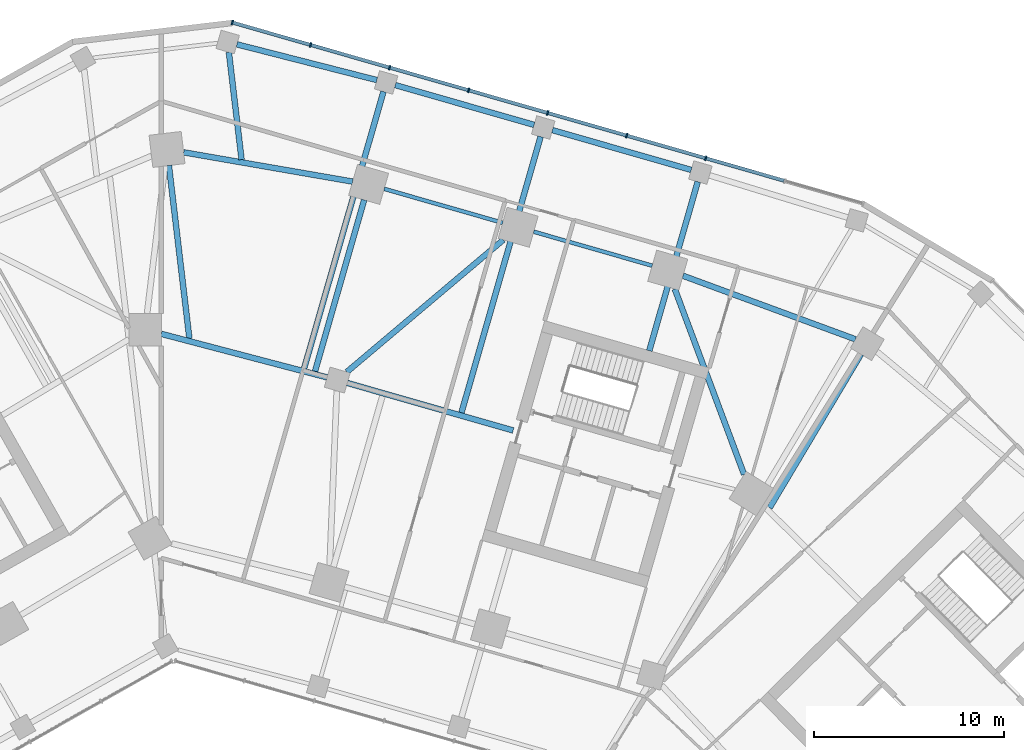
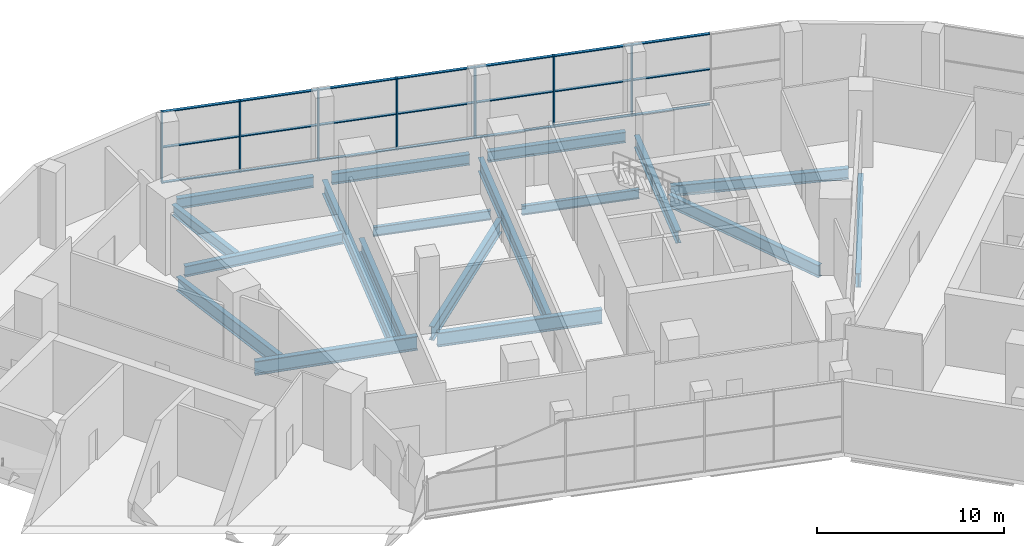
# One storey, part 7 of 18: 28 members, 18 beams, 1 element without a shape of its own.
"""IFC4 building model written with IfcOpenShell, lengths in metres."""

from ifc_helpers import new_model, si_unit, direction, frame, origin, origin_2d, place, context, subcontext, project, spatial, rectangle, i_section, extrude, material, material_profile, profile_set, type_object, element, aggregate, save


model = new_model("IFC4")

# Units and contexts
model_context = context("Model", 3, precision=1e-05, world=origin(), true_north=direction((0.0, 1.0)))
body_context = subcontext(model_context, "Body", "Model", "MODEL_VIEW")
ifc_project = project(units=[si_unit("LENGTHUNIT", "METRE"), si_unit("AREAUNIT", "SQUARE_METRE"), si_unit("VOLUMEUNIT", "CUBIC_METRE"), si_unit("PLANEANGLEUNIT", "RADIAN"), si_unit("MASSUNIT", "GRAM", prefix="KILO")], contexts=[model_context])

# Site, building, storey
site_placement = place(None, origin())
site = spatial("IfcSite", under=ifc_project, at=site_placement, CompositionType="ELEMENT")
building_placement = place(site_placement, origin())
building = spatial("IfcBuilding", under=site, at=building_placement, Name="Binnacle Exchange Tower", CompositionType="ELEMENT")
storey_placement = place(building_placement, frame((0.0, 0.0, 11.5)))
storey = spatial("IfcBuildingStorey", under=building, at=storey_placement, Name="L02", CompositionType="ELEMENT", Elevation=11.5)

# Curtain wall, members
ifc_material_1 = material(Name="Bronze anodised aluminium frame", Category="aluminium")
curtain_wall_type = type_object("IfcCurtainWallType", Name="External wall - curtain wall north entrance", PredefinedType="NOTDEFINED", material=ifc_material_1)
curtain_wall_placement = place(storey_placement, origin())
curtain_wall = element("IfcCurtainWall", 1, at=curtain_wall_placement, inside=storey, type_object=curtain_wall_type, Name="External wall curtain wall CW2-P00 L02", PredefinedType="NOTDEFINED")
ifc_material_profile_1 = material_profile(ifc_material_1, rectangle(XDim=0.25, YDim=0.080078125, at=origin_2d()), Name="AL 80x250")
ifc_profile_set_1 = profile_set([ifc_material_profile_1], Name="Bronze anodised aluminium frame")
member_type_1 = type_object("IfcMemberType", Name="CW2 MULLION 80x250", PredefinedType="MULLION", material=ifc_profile_set_1)
member_1_placement = place(storey_placement, frame((28.597412109375, 69.001220703125, 0.0), z_axis=(0.0, 0.0, 1.0), x_axis=(-0.275636946471, -0.961261813316, 0.0)))
member_1 = element("IfcMember", 2, at=member_1_placement, type_object=member_type_1, Name="CW2-P00 mullion 3", PredefinedType="MULLION", context=body_context, shape_type="SweptSolid", body=[
    extrude(rectangle(XDim=0.25, YDim=0.080078125, at=origin_2d()), origin(), (0.0, 0.0, 1.0), 4.64990234375),
])
member_2_placement = place(storey_placement, frame((24.446044921875, 70.191650390625, 0.0), z_axis=(0.0, 0.0, 1.0), x_axis=(-0.275636946471, -0.961261813316, 0.0)))
member_2 = element("IfcMember", 3, at=member_2_placement, type_object=member_type_1, Name="CW2-P00 mullion 4", PredefinedType="MULLION", context=body_context, shape_type="SweptSolid", body=[
    extrude(rectangle(XDim=0.25, YDim=0.080078125, at=origin_2d()), origin(), (0.0, 0.0, 1.0), 4.64990234375),
])
member_3_placement = place(storey_placement, frame((20.294677734375, 71.382080078125, 0.0), z_axis=(0.0, 0.0, 1.0), x_axis=(-0.275636946471, -0.961261813316, 0.0)))
member_3 = element("IfcMember", 4, at=member_3_placement, type_object=member_type_1, Name="CW2-P00 mullion 5", PredefinedType="MULLION", context=body_context, shape_type="SweptSolid", body=[
    extrude(rectangle(XDim=0.25, YDim=0.080078125, at=origin_2d()), origin(), (0.0, 0.0, 1.0), 4.64990234375),
])
member_4_placement = place(storey_placement, frame((16.143310546875, 72.572509765625, 0.0), z_axis=(0.0, 0.0, 1.0), x_axis=(-0.275636946471, -0.961261813316, 0.0)))
member_4 = element("IfcMember", 5, at=member_4_placement, type_object=member_type_1, Name="CW2-P00 mullion 6", PredefinedType="MULLION", context=body_context, shape_type="SweptSolid", body=[
    extrude(rectangle(XDim=0.25, YDim=0.080078125, at=origin_2d()), origin(), (0.0, 0.0, 1.0), 4.64990234375),
])
member_5_placement = place(storey_placement, frame((11.991943359375, 73.762939453125, 0.0), z_axis=(0.0, 0.0, 1.0), x_axis=(-0.275636946471, -0.961261813316, 0.0)))
member_5 = element("IfcMember", 6, at=member_5_placement, type_object=member_type_1, Name="CW2-P00 mullion 7", PredefinedType="MULLION", context=body_context, shape_type="SweptSolid", body=[
    extrude(rectangle(XDim=0.25, YDim=0.080078125, at=origin_2d()), origin(), (0.0, 0.0, 1.0), 4.64990234375),
])
member_6_placement = place(storey_placement, frame((7.840576171875, 74.953125, 0.0), z_axis=(0.0, 0.0, 1.0), x_axis=(-0.275636946471, -0.961261813316, 0.0)))
member_6 = element("IfcMember", 7, at=member_6_placement, type_object=member_type_1, Name="CW2-P00 mullion 8", PredefinedType="MULLION", context=body_context, shape_type="SweptSolid", body=[
    extrude(rectangle(XDim=0.25, YDim=0.080078125, at=origin_2d()), origin(), (0.0, 0.0, 1.0), 4.64990234375),
])
member_7_placement = place(storey_placement, frame((3.727783203125, 76.132568359375, 0.0), z_axis=(0.0, 0.0, 1.0), x_axis=(-0.275636946471, -0.961261813316, 0.0)))
member_7 = element("IfcMember", 8, at=member_7_placement, type_object=member_type_1, Name="CW2-P00 mullion 9", PredefinedType="MULLION", context=body_context, shape_type="SweptSolid", body=[
    extrude(rectangle(XDim=0.25, YDim=0.080078125, at=origin_2d()), origin(), (0.0, 0.0, 1.0), 4.64990234375),
])
ifc_material_profile_2 = material_profile(ifc_material_1, rectangle(XDim=0.179931640625, YDim=0.06005859375, at=origin_2d()), Name="AL 180x60")
ifc_profile_set_2 = profile_set([ifc_material_profile_2], Name="Bronze anodised aluminium frame")
member_type_2 = type_object("IfcMemberType", Name="CW2 TRANSOM 60x180", PredefinedType="USERDEFINED", material=ifc_profile_set_2)
member_8_placement = place(storey_placement, frame((32.710205078125, 67.822021484375, 0.030029296875), z_axis=(-0.961269230789, 0.275611077316, 0.0), x_axis=(-0.275611077316, -0.961269230789, 0.0)))
member_8 = element("IfcMember", 9, at=member_8_placement, type_object=member_type_2, Name="CW2-P00 transom 2.1", ObjectType="TRANSOM", PredefinedType="USERDEFINED", context=body_context, shape_type="SweptSolid", body=[
    extrude(rectangle(XDim=0.179931640625, YDim=0.06005859375, at=origin_2d()), origin(), (0.0, 0.0, 1.0), 4.238525390625),
])
member_9_placement = place(storey_placement, frame((32.710205078125, 67.822021484375, 2.324951171875), z_axis=(-0.961269230789, 0.275611077316, 0.0), x_axis=(-0.275611077316, -0.961269230789, 0.0)))
member_9 = element("IfcMember", 10, at=member_9_placement, type_object=member_type_2, Name="CW2-P00 transom 2.2", ObjectType="TRANSOM", PredefinedType="USERDEFINED", context=body_context, shape_type="SweptSolid", body=[
    extrude(rectangle(XDim=0.179931640625, YDim=0.06005859375, at=origin_2d()), origin(), (0.0, 0.0, 1.0), 4.238525390625),
])
member_10_placement = place(storey_placement, frame((32.710205078125, 67.822021484375, 4.6201171875), z_axis=(-0.961269230789, 0.275611077316, 0.0), x_axis=(-0.275611077316, -0.961269230789, 0.0)))
member_10 = element("IfcMember", 11, at=member_10_placement, type_object=member_type_2, Name="CW2-P00 transom 2.3", ObjectType="TRANSOM", PredefinedType="USERDEFINED", context=body_context, shape_type="SweptSolid", body=[
    extrude(rectangle(XDim=0.179931640625, YDim=0.06005859375, at=origin_2d()), origin(), (0.0, 0.0, 1.0), 4.238525390625),
])
member_11_placement = place(storey_placement, frame((28.558837890625, 69.012451171875, 0.030029296875), z_axis=(-0.961269230789, 0.275611077316, 0.0), x_axis=(-0.275611077316, -0.961269230789, 0.0)))
member_11 = element("IfcMember", 12, at=member_11_placement, type_object=member_type_2, Name="CW2-P00 transom 3.1", ObjectType="TRANSOM", PredefinedType="USERDEFINED", context=body_context, shape_type="SweptSolid", body=[
    extrude(rectangle(XDim=0.179931640625, YDim=0.06005859375, at=origin_2d()), origin(), (0.0, 0.0, 1.0), 4.238525390625),
])
member_12_placement = place(storey_placement, frame((28.558837890625, 69.012451171875, 2.324951171875), z_axis=(-0.961269230789, 0.275611077316, 0.0), x_axis=(-0.275611077316, -0.961269230789, 0.0)))
member_12 = element("IfcMember", 13, at=member_12_placement, type_object=member_type_2, Name="CW2-P00 transom 3.2", ObjectType="TRANSOM", PredefinedType="USERDEFINED", context=body_context, shape_type="SweptSolid", body=[
    extrude(rectangle(XDim=0.179931640625, YDim=0.06005859375, at=origin_2d()), origin(), (0.0, 0.0, 1.0), 4.238525390625),
])
member_13_placement = place(storey_placement, frame((28.558837890625, 69.012451171875, 4.6201171875), z_axis=(-0.961269230789, 0.275611077316, 0.0), x_axis=(-0.275611077316, -0.961269230789, 0.0)))
member_13 = element("IfcMember", 14, at=member_13_placement, type_object=member_type_2, Name="CW2-P00 transom 3.3", ObjectType="TRANSOM", PredefinedType="USERDEFINED", context=body_context, shape_type="SweptSolid", body=[
    extrude(rectangle(XDim=0.179931640625, YDim=0.06005859375, at=origin_2d()), origin(), (0.0, 0.0, 1.0), 4.238525390625),
])
member_14_placement = place(storey_placement, frame((24.407470703125, 70.20263671875, 0.030029296875), z_axis=(-0.961249592204, 0.275679563057, 0.0), x_axis=(-0.275679563057, -0.961249592204, 0.0)))
member_14 = element("IfcMember", 15, at=member_14_placement, type_object=member_type_2, Name="CW2-P00 transom 4.1", ObjectType="TRANSOM", PredefinedType="USERDEFINED", context=body_context, shape_type="SweptSolid", body=[
    extrude(rectangle(XDim=0.179931640625, YDim=0.06005859375, at=origin_2d()), origin(), (0.0, 0.0, 1.0), 4.238525390625),
])
member_15_placement = place(storey_placement, frame((24.407470703125, 70.20263671875, 2.324951171875), z_axis=(-0.961249592204, 0.275679563057, 0.0), x_axis=(-0.275679563057, -0.961249592204, 0.0)))
member_15 = element("IfcMember", 16, at=member_15_placement, type_object=member_type_2, Name="CW2-P00 transom 4.2", ObjectType="TRANSOM", PredefinedType="USERDEFINED", context=body_context, shape_type="SweptSolid", body=[
    extrude(rectangle(XDim=0.179931640625, YDim=0.06005859375, at=origin_2d()), origin(), (0.0, 0.0, 1.0), 4.238525390625),
])
member_16_placement = place(storey_placement, frame((24.407470703125, 70.20263671875, 4.6201171875), z_axis=(-0.961249592204, 0.275679563057, 0.0), x_axis=(-0.275679563057, -0.961249592204, 0.0)))
member_16 = element("IfcMember", 17, at=member_16_placement, type_object=member_type_2, Name="CW2-P00 transom 4.3", ObjectType="TRANSOM", PredefinedType="USERDEFINED", context=body_context, shape_type="SweptSolid", body=[
    extrude(rectangle(XDim=0.179931640625, YDim=0.06005859375, at=origin_2d()), origin(), (0.0, 0.0, 1.0), 4.238525390625),
])
member_17_placement = place(storey_placement, frame((20.25634765625, 71.39306640625, 0.030029296875), z_axis=(-0.961253969491, 0.275664299717, 0.0), x_axis=(-0.275664299717, -0.961253969491, 0.0)))
member_17 = element("IfcMember", 18, at=member_17_placement, type_object=member_type_2, Name="CW2-P00 transom 5.1", ObjectType="TRANSOM", PredefinedType="USERDEFINED", context=body_context, shape_type="SweptSolid", body=[
    extrude(rectangle(XDim=0.179931640625, YDim=0.06005859375, at=origin_2d()), origin(), (0.0, 0.0, 1.0), 4.23876953125),
])
member_18_placement = place(storey_placement, frame((20.25634765625, 71.39306640625, 2.324951171875), z_axis=(-0.961253969491, 0.275664299717, 0.0), x_axis=(-0.275664299717, -0.961253969491, 0.0)))
member_18 = element("IfcMember", 19, at=member_18_placement, type_object=member_type_2, Name="CW2-P00 transom 5.2", ObjectType="TRANSOM", PredefinedType="USERDEFINED", context=body_context, shape_type="SweptSolid", body=[
    extrude(rectangle(XDim=0.179931640625, YDim=0.06005859375, at=origin_2d()), origin(), (0.0, 0.0, 1.0), 4.23876953125),
])
member_19_placement = place(storey_placement, frame((20.25634765625, 71.39306640625, 4.6201171875), z_axis=(-0.961253969491, 0.275664299717, 0.0), x_axis=(-0.275664299717, -0.961253969491, 0.0)))
member_19 = element("IfcMember", 20, at=member_19_placement, type_object=member_type_2, Name="CW2-P00 transom 5.3", ObjectType="TRANSOM", PredefinedType="USERDEFINED", context=body_context, shape_type="SweptSolid", body=[
    extrude(rectangle(XDim=0.179931640625, YDim=0.06005859375, at=origin_2d()), origin(), (0.0, 0.0, 1.0), 4.23876953125),
])
member_20_placement = place(storey_placement, frame((16.10498046875, 72.58349609375, 0.030029296875), z_axis=(-0.961269230789, 0.275611077316, 0.0), x_axis=(-0.275611077316, -0.961269230789, 0.0)))
member_20 = element("IfcMember", 21, at=member_20_placement, type_object=member_type_2, Name="CW2-P00 transom 6.1", ObjectType="TRANSOM", PredefinedType="USERDEFINED", context=body_context, shape_type="SweptSolid", body=[
    extrude(rectangle(XDim=0.179931640625, YDim=0.06005859375, at=origin_2d()), origin(), (0.0, 0.0, 1.0), 4.238525390625),
])
member_21_placement = place(storey_placement, frame((16.10498046875, 72.58349609375, 2.324951171875), z_axis=(-0.961269230789, 0.275611077316, 0.0), x_axis=(-0.275611077316, -0.961269230789, 0.0)))
member_21 = element("IfcMember", 22, at=member_21_placement, type_object=member_type_2, Name="CW2-P00 transom 6.2", ObjectType="TRANSOM", PredefinedType="USERDEFINED", context=body_context, shape_type="SweptSolid", body=[
    extrude(rectangle(XDim=0.179931640625, YDim=0.06005859375, at=origin_2d()), origin(), (0.0, 0.0, 1.0), 4.238525390625),
])
member_22_placement = place(storey_placement, frame((16.10498046875, 72.58349609375, 4.6201171875), z_axis=(-0.961269230789, 0.275611077316, 0.0), x_axis=(-0.275611077316, -0.961269230789, 0.0)))
member_22 = element("IfcMember", 23, at=member_22_placement, type_object=member_type_2, Name="CW2-P00 transom 6.3", ObjectType="TRANSOM", PredefinedType="USERDEFINED", context=body_context, shape_type="SweptSolid", body=[
    extrude(rectangle(XDim=0.179931640625, YDim=0.06005859375, at=origin_2d()), origin(), (0.0, 0.0, 1.0), 4.238525390625),
])
member_23_placement = place(storey_placement, frame((11.95361328125, 73.77392578125, 0.030029296875), z_axis=(-0.961269230789, 0.275611077316, 0.0), x_axis=(-0.275611077316, -0.961269230789, 0.0)))
member_23 = element("IfcMember", 24, at=member_23_placement, type_object=member_type_2, Name="CW2-P00 transom 7.1", ObjectType="TRANSOM", PredefinedType="USERDEFINED", context=body_context, shape_type="SweptSolid", body=[
    extrude(rectangle(XDim=0.179931640625, YDim=0.06005859375, at=origin_2d()), origin(), (0.0, 0.0, 1.0), 4.238525390625),
])
member_24_placement = place(storey_placement, frame((11.95361328125, 73.77392578125, 2.324951171875), z_axis=(-0.961269230789, 0.275611077316, 0.0), x_axis=(-0.275611077316, -0.961269230789, 0.0)))
member_24 = element("IfcMember", 25, at=member_24_placement, type_object=member_type_2, Name="CW2-P00 transom 7.2", ObjectType="TRANSOM", PredefinedType="USERDEFINED", context=body_context, shape_type="SweptSolid", body=[
    extrude(rectangle(XDim=0.179931640625, YDim=0.06005859375, at=origin_2d()), origin(), (0.0, 0.0, 1.0), 4.238525390625),
])
member_25_placement = place(storey_placement, frame((11.95361328125, 73.77392578125, 4.6201171875), z_axis=(-0.961269230789, 0.275611077316, 0.0), x_axis=(-0.275611077316, -0.961269230789, 0.0)))
member_25 = element("IfcMember", 26, at=member_25_placement, type_object=member_type_2, Name="CW2-P00 transom 7.3", ObjectType="TRANSOM", PredefinedType="USERDEFINED", context=body_context, shape_type="SweptSolid", body=[
    extrude(rectangle(XDim=0.179931640625, YDim=0.06005859375, at=origin_2d()), origin(), (0.0, 0.0, 1.0), 4.238525390625),
])
member_26_placement = place(storey_placement, frame((7.80224609375, 74.964111328125, 0.030029296875), z_axis=(-0.961249184076, 0.275680986129, 0.0), x_axis=(-0.275680986129, -0.961249184076, 0.0)))
member_26 = element("IfcMember", 27, at=member_26_placement, type_object=member_type_2, Name="CW2-P00 transom 8.1", ObjectType="TRANSOM", PredefinedType="USERDEFINED", context=body_context, shape_type="SweptSolid", body=[
    extrude(rectangle(XDim=0.179931640625, YDim=0.06005859375, at=origin_2d()), origin(), (0.0, 0.0, 1.0), 4.198486328125),
])
member_27_placement = place(storey_placement, frame((7.80224609375, 74.964111328125, 2.324951171875), z_axis=(-0.961249184076, 0.275680986129, 0.0), x_axis=(-0.275680986129, -0.961249184076, 0.0)))
member_27 = element("IfcMember", 28, at=member_27_placement, type_object=member_type_2, Name="CW2-P00 transom 8.2", ObjectType="TRANSOM", PredefinedType="USERDEFINED", context=body_context, shape_type="SweptSolid", body=[
    extrude(rectangle(XDim=0.179931640625, YDim=0.06005859375, at=origin_2d()), origin(), (0.0, 0.0, 1.0), 4.198486328125),
])
member_28_placement = place(storey_placement, frame((7.80224609375, 74.964111328125, 4.6201171875), z_axis=(-0.961249184076, 0.275680986129, 0.0), x_axis=(-0.275680986129, -0.961249184076, 0.0)))
member_28 = element("IfcMember", 29, at=member_28_placement, type_object=member_type_2, Name="CW2-P00 transom 8.3", ObjectType="TRANSOM", PredefinedType="USERDEFINED", context=body_context, shape_type="SweptSolid", body=[
    extrude(rectangle(XDim=0.179931640625, YDim=0.06005859375, at=origin_2d()), origin(), (0.0, 0.0, 1.0), 4.198486328125),
])
aggregate(curtain_wall, [member_1, member_2, member_3, member_4, member_5, member_6, member_7, member_8, member_9, member_10, member_11, member_12, member_13, member_14, member_15, member_16, member_17, member_18, member_19, member_20, member_21, member_22, member_23, member_24, member_25, member_26, member_27, member_28])

# Beams
ifc_material_2 = material(Name="Steel S355 (SHN355)", Category="steel")
ifc_material_profile_3 = material_profile(ifc_material_2, i_section(OverallWidth=0.201904296875, OverallDepth=0.612060546875, WebThickness=0.012939453125, FlangeThickness=0.02294921875, FilletRadius=0.02197265625, at=origin_2d()), Name="H 612x202x13x23")
ifc_profile_set_3 = profile_set([ifc_material_profile_3], Name="Steel S355 (SHN355)")
beam_type_1 = type_object("IfcBeamType", Name="Edge girder H 612x202x13x23 Steel S355 (SHN355)", PredefinedType="SPANDREL", material=ifc_profile_set_3)
for number, where, z_axis, x_axis, name in (
    (30, (17.92919921875, 65.610595703125, -0.656005859375), (-0.961261624999, 0.275637603213, 0.0), (-0.275637603213, -0.961261624999, 0.0), "S:BM:edge:L02:052"),
    (31, (25.78564453125, 63.35791015625, -0.656005859375), (-0.961271618025, 0.275602751036, 0.0), (-0.275602751036, -0.961271618025, 0.0), "S:BM:edge:L02:056"),
):
    element("IfcBeam", number, at=place(storey_placement, frame(where, z_axis=z_axis, x_axis=x_axis)), inside=storey, type_object=beam_type_1, Name=name, PredefinedType="SPANDREL", context=body_context, shape_type="SweptSolid", body=[
        extrude(i_section(OverallWidth=0.201904296875, OverallDepth=0.612060546875, WebThickness=0.012939453125, FlangeThickness=0.02294921875, FilletRadius=0.02197265625, at=origin_2d()), origin(), (0.0, 0.0, 1.0), 6.472900390625),
    ])
ifc_material_profile_4 = material_profile(ifc_material_2, i_section(OverallWidth=0.300048828125, OverallDepth=0.699951171875, WebThickness=0.012939453125, FlangeThickness=0.02392578125, FilletRadius=0.028076171875, at=origin_2d()), Name="H 700x300x13x24")
ifc_profile_set_4 = profile_set([ifc_material_profile_4], Name="Steel S355 (SHN355)")
beam_type_2 = type_object("IfcBeamType", Name="Edge girder H 700x300x13x24 Steel S355 (SHN355)", PredefinedType="SPANDREL", material=ifc_profile_set_4)
beam_1_placement = place(storey_placement, frame((3.970703125, 74.985595703125, -0.699951171875), z_axis=(0.96888078872, -0.247527811062, 0.0), x_axis=(0.247527811062, 0.96888078872, 0.0)))
element("IfcBeam", 32, at=beam_1_placement, inside=storey, type_object=beam_type_2, Name="S:BM:edge:L02:046", PredefinedType="SPANDREL", context=body_context, shape_type="SweptSolid", body=[
    extrude(i_section(OverallWidth=0.300048828125, OverallDepth=0.699951171875, WebThickness=0.012939453125, FlangeThickness=0.02392578125, FilletRadius=0.028076171875, at=origin_2d()), origin(), (0.0, 0.0, 1.0), 7.589599609375),
])
beam_2_placement = place(storey_placement, frame((10.047607421875, 67.77490234375, -0.699951171875), z_axis=(-0.985312460293, 0.17076110679, 0.0), x_axis=(-0.17076110679, -0.985312460293, 0.0)))
element("IfcBeam", 33, at=beam_2_placement, inside=storey, type_object=beam_type_2, Name="S:BM:edge:L02:049", PredefinedType="SPANDREL", context=body_context, shape_type="SweptSolid", body=[
    extrude(i_section(OverallWidth=0.300048828125, OverallDepth=0.699951171875, WebThickness=0.012939453125, FlangeThickness=0.02392578125, FilletRadius=0.028076171875, at=origin_2d()), origin(), (0.0, 0.0, 1.0), 9.005859375),
])
beam_3_placement = place(storey_placement, frame((12.289306640625, 72.84521484375, -0.699951171875), z_axis=(0.961270944274, -0.275605100996, 0.0), x_axis=(0.275605100996, 0.961270944274, 0.0)))
element("IfcBeam", 34, at=beam_3_placement, inside=storey, type_object=beam_type_2, Name="S:BM:edge:L02:050", PredefinedType="SPANDREL", context=body_context, shape_type="SweptSolid", body=[
    extrude(i_section(OverallWidth=0.300048828125, OverallDepth=0.699951171875, WebThickness=0.012939453125, FlangeThickness=0.02392578125, FilletRadius=0.028076171875, at=origin_2d()), origin(), (0.0, 0.0, 1.0), 7.586181640625),
])
beam_4_placement = place(storey_placement, frame((20.54296875, 70.478759765625, -0.699951171875), z_axis=(0.961262417922, -0.275634837948, 0.0), x_axis=(0.275634837948, 0.961262417922, 0.0)))
element("IfcBeam", 35, at=beam_4_placement, inside=storey, type_object=beam_type_2, Name="S:BM:edge:L02:054", PredefinedType="SPANDREL", context=body_context, shape_type="SweptSolid", body=[
    extrude(i_section(OverallWidth=0.300048828125, OverallDepth=0.699951171875, WebThickness=0.012939453125, FlangeThickness=0.02392578125, FilletRadius=0.028076171875, at=origin_2d()), origin(), (0.0, 0.0, 1.0), 7.58642578125),
])
ifc_material_profile_5 = material_profile(ifc_material_2, i_section(OverallWidth=0.302001953125, OverallDepth=0.7080078125, WebThickness=0.014892578125, FlangeThickness=0.028076171875, FilletRadius=0.028076171875, at=origin_2d()), Name="H 708x302x15x28")
ifc_profile_set_5 = profile_set([ifc_material_profile_5], Name="Steel S355 (SHN355)")
beam_type_3 = type_object("IfcBeamType", Name="Edge girder H 708x302x15x28 Steel S355 (SHN355)", PredefinedType="SPANDREL", material=ifc_profile_set_5)
beam_5_placement = place(storey_placement, frame((36.464599609375, 59.490966796875, -0.7041015625), z_axis=(-0.938368148393, 0.345637408395, 0.0), x_axis=(-0.345637408395, -0.938368148393, 0.0)))
element("IfcBeam", 36, at=beam_5_placement, inside=storey, type_object=beam_type_3, Name="S:BM:edge:L02:061", PredefinedType="SPANDREL", context=body_context, shape_type="SweptSolid", body=[
    extrude(i_section(OverallWidth=0.302001953125, OverallDepth=0.7080078125, WebThickness=0.014892578125, FlangeThickness=0.028076171875, FilletRadius=0.028076171875, at=origin_2d()), origin(), (0.0, 0.0, 1.0), 9.6572265625),
])
ifc_material_profile_6 = material_profile(ifc_material_2, i_section(OverallWidth=0.300048828125, OverallDepth=0.699951171875, WebThickness=0.012939453125, FlangeThickness=0.02392578125, FilletRadius=0.028076171875, at=origin_2d()), Name="H 700x300x13x24")
ifc_profile_set_6 = profile_set([ifc_material_profile_6], Name="Steel S355 (SHN355)")
beam_type_4 = type_object("IfcBeamType", Name="Floor beam H 700x300x13x24 Steel S355 (SHN355)", PredefinedType="BEAM", material=ifc_profile_set_6)
beam_6_placement = place(storey_placement, frame((3.5498046875, 74.571044921875, -0.699951171875), z_axis=(0.117529616855, -0.993069377819, 0.0), x_axis=(0.993069377819, 0.117529616855, 0.0)))
element("IfcBeam", 37, at=beam_6_placement, inside=storey, type_object=beam_type_4, Name="S:BM:cross:L02:104", PredefinedType="BEAM", context=body_context, shape_type="SweptSolid", body=[
    extrude(i_section(OverallWidth=0.300048828125, OverallDepth=0.699951171875, WebThickness=0.012939453125, FlangeThickness=0.02392578125, FilletRadius=0.028076171875, at=origin_2d()), origin(), (0.0, 0.0, 1.0), 5.67919921875),
])
ifc_material_profile_7 = material_profile(ifc_material_2, i_section(OverallWidth=0.302001953125, OverallDepth=0.80810546875, WebThickness=0.01611328125, FlangeThickness=0.030029296875, FilletRadius=0.028076171875, at=origin_2d()), Name="H 808x302x16x30")
ifc_profile_set_7 = profile_set([ifc_material_profile_7], Name="Steel S355 (SHN355)")
beam_type_5 = type_object("IfcBeamType", Name="Floor beam H 808x302x16x30 Steel S355 (SHN355)", PredefinedType="BEAM", material=ifc_profile_set_7)
beam_7_placement = place(storey_placement, frame((28.17822265625, 67.769287109375, -0.75390625), z_axis=(-0.275646254267, -0.961259144304, 0.0), x_axis=(0.961259144304, -0.275646254267, 0.0)))
element("IfcBeam", 38, at=beam_7_placement, inside=storey, type_object=beam_type_5, Name="S:BM:cross:L02:112", PredefinedType="BEAM", context=body_context, shape_type="SweptSolid", body=[
    extrude(i_section(OverallWidth=0.302001953125, OverallDepth=0.80810546875, WebThickness=0.01611328125, FlangeThickness=0.030029296875, FilletRadius=0.028076171875, at=origin_2d()), origin(), (0.0, 0.0, 1.0), 9.235107421875),
])
ifc_material_profile_8 = material_profile(ifc_material_2, i_section(OverallWidth=0.300048828125, OverallDepth=0.89990234375, WebThickness=0.01611328125, FlangeThickness=0.028076171875, FilletRadius=0.028076171875, at=origin_2d()), Name="H 900x300x16x28")
ifc_profile_set_8 = profile_set([ifc_material_profile_8], Name="Steel S355 (SHN355)")
beam_type_6 = type_object("IfcBeamType", Name="Floor beam H 900x300x16x28 Steel S355 (SHN355)", PredefinedType="BEAM", material=ifc_profile_set_8)
beam_8_placement = place(storey_placement, frame((0.39990234375, 68.6201171875, -0.800048828125), z_axis=(0.117562643201, -0.993065468599, 0.0), x_axis=(0.993065468599, 0.117562643201, 0.0)))
element("IfcBeam", 39, at=beam_8_placement, inside=storey, type_object=beam_type_6, Name="S:BM:cross:L02:103", PredefinedType="BEAM", context=body_context, shape_type="SweptSolid", body=[
    extrude(i_section(OverallWidth=0.300048828125, OverallDepth=0.89990234375, WebThickness=0.01611328125, FlangeThickness=0.028076171875, FilletRadius=0.028076171875, at=origin_2d()), origin(), (0.0, 0.0, 1.0), 9.14990234375),
])
beam_9_placement = place(storey_placement, frame((36.752685546875, 58.703857421875, -0.800048828125), z_axis=(-0.511298188751, -0.859403375709, 0.0), x_axis=(0.859403375709, -0.511298188751, 0.0)))
element("IfcBeam", 40, at=beam_9_placement, inside=storey, type_object=beam_type_6, Name="S:BM:cross:L02:116", PredefinedType="BEAM", context=body_context, shape_type="SweptSolid", body=[
    extrude(i_section(OverallWidth=0.300048828125, OverallDepth=0.89990234375, WebThickness=0.01611328125, FlangeThickness=0.028076171875, FilletRadius=0.028076171875, at=origin_2d()), origin(), (0.0, 0.0, 1.0), 9.385986328125),
])
ifc_material_profile_9 = material_profile(ifc_material_2, i_section(OverallWidth=0.302001953125, OverallDepth=0.912109375, WebThickness=0.01806640625, FlangeThickness=0.033935546875, FilletRadius=0.028076171875, at=origin_2d()), Name="H 912x302x18x34")
ifc_profile_set_9 = profile_set([ifc_material_profile_9], Name="Steel S355 (SHN355)")
beam_type_7 = type_object("IfcBeamType", Name="Floor beam H 912x302x18x34 Steel S355 (SHN355)", PredefinedType="BEAM", material=ifc_profile_set_9)
beam_10_placement = place(storey_placement, frame((10.65576171875, 66.81201171875, -0.805908203125), z_axis=(-0.275626703457, -0.961264750389, 0.0), x_axis=(0.961264750389, -0.275626703457, 0.0)))
element("IfcBeam", 41, at=beam_10_placement, inside=storey, type_object=beam_type_7, Name="S:BM:cross:L02:107", PredefinedType="BEAM", context=body_context, shape_type="SweptSolid", body=[
    extrude(i_section(OverallWidth=0.302001953125, OverallDepth=0.912109375, WebThickness=0.01806640625, FlangeThickness=0.033935546875, FilletRadius=0.028076171875, at=origin_2d()), origin(), (0.0, 0.0, 1.0), 9.363525390625),
])
ifc_material_profile_10 = material_profile(ifc_material_2, i_section(OverallWidth=0.302978515625, OverallDepth=0.91796875, WebThickness=0.01904296875, FlangeThickness=0.037109375, FilletRadius=0.028076171875, at=origin_2d()), Name="H 918x303x19x37")
ifc_profile_set_10 = profile_set([ifc_material_profile_10], Name="Steel S355 (SHN355)")
beam_type_8 = type_object("IfcBeamType", Name="Floor beam H 918x303x19x37 Steel S355 (SHN355)", PredefinedType="BEAM", material=ifc_profile_set_10)
beam_11_placement = place(storey_placement, frame((11.6708984375, 72.50244140625, -0.80908203125), z_axis=(-0.275622715185, -0.961265893951, 0.0), x_axis=(0.961265893951, -0.275622715185, 0.0)))
element("IfcBeam", 42, at=beam_11_placement, inside=storey, type_object=beam_type_8, Name="S:BM:cross:L02:108", PredefinedType="BEAM", context=body_context, shape_type="SweptSolid", body=[
    extrude(i_section(OverallWidth=0.302978515625, OverallDepth=0.91796875, WebThickness=0.01904296875, FlangeThickness=0.037109375, FilletRadius=0.028076171875, at=origin_2d()), origin(), (0.0, 0.0, 1.0), 15.12646484375),
])
beam_12_placement = place(storey_placement, frame((19.924560546875, 70.135986328125, -0.80908203125), z_axis=(-0.275629445944, -0.961263964023, 0.0), x_axis=(0.961263964023, -0.275629445944, 0.0)))
element("IfcBeam", 43, at=beam_12_placement, inside=storey, type_object=beam_type_8, Name="S:BM:cross:L02:110", PredefinedType="BEAM", context=body_context, shape_type="SweptSolid", body=[
    extrude(i_section(OverallWidth=0.302978515625, OverallDepth=0.91796875, WebThickness=0.01904296875, FlangeThickness=0.037109375, FilletRadius=0.028076171875, at=origin_2d()), origin(), (0.0, 0.0, 1.0), 15.085205078125),
])
ifc_material_profile_11 = material_profile(ifc_material_2, i_section(OverallWidth=0.302001953125, OverallDepth=0.80810546875, WebThickness=0.01611328125, FlangeThickness=0.030029296875, FilletRadius=0.028076171875, at=origin_2d()), Name="H 808x302x16x30")
ifc_profile_set_11 = profile_set([ifc_material_profile_11], Name="Steel S355 (SHN355)")
beam_type_9 = type_object("IfcBeamType", Name="Spine girder H 808x302x16x30 Steel S355 (SHN355)", PredefinedType="BEAM", material=ifc_profile_set_11)
beam_13_placement = place(storey_placement, frame((30.614501953125, 52.389892578125, -0.75390625), z_axis=(-0.350104624168, 0.936710602126, 0.0), x_axis=(-0.936710602126, -0.350104624168, 0.0)))
element("IfcBeam", 44, at=beam_13_placement, inside=storey, type_object=beam_type_9, Name="S:BM:spine:L02:011", PredefinedType="BEAM", context=body_context, shape_type="SweptSolid", body=[
    extrude(i_section(OverallWidth=0.302001953125, OverallDepth=0.80810546875, WebThickness=0.01611328125, FlangeThickness=0.030029296875, FilletRadius=0.028076171875, at=origin_2d()), origin(), (0.0, 0.0, 1.0), 10.4013671875),
])
ifc_material_profile_12 = material_profile(ifc_material_2, i_section(OverallWidth=0.300048828125, OverallDepth=0.89990234375, WebThickness=0.01611328125, FlangeThickness=0.028076171875, FilletRadius=0.028076171875, at=origin_2d()), Name="H 900x300x16x28")
ifc_profile_set_12 = profile_set([ifc_material_profile_12], Name="Steel S355 (SHN355)")
beam_type_10 = type_object("IfcBeamType", Name="Spine girder H 900x300x16x28 Steel S355 (SHN355)", PredefinedType="BEAM", material=ifc_profile_set_12)
beam_14_placement = place(storey_placement, frame((9.74658203125, 57.77734375, -0.800048828125), z_axis=(0.764072930463, 0.64512987602, 0.0), x_axis=(-0.64512987602, 0.764072930463, 0.0)))
element("IfcBeam", 45, at=beam_14_placement, inside=storey, type_object=beam_type_10, Name="S:BM:spine:L02:008", PredefinedType="BEAM", context=body_context, shape_type="SweptSolid", body=[
    extrude(i_section(OverallWidth=0.300048828125, OverallDepth=0.89990234375, WebThickness=0.01611328125, FlangeThickness=0.028076171875, FilletRadius=0.028076171875, at=origin_2d()), origin(), (0.0, 0.0, 1.0), 10.755615234375),
])
ifc_material_profile_13 = material_profile(ifc_material_2, i_section(OverallWidth=0.302978515625, OverallDepth=0.91796875, WebThickness=0.01904296875, FlangeThickness=0.037109375, FilletRadius=0.028076171875, at=origin_2d()), Name="H 918x303x19x37")
ifc_profile_set_13 = profile_set([ifc_material_profile_13], Name="Steel S355 (SHN355)")
beam_type_11 = type_object("IfcBeamType", Name="Spine girder H 918x303x19x37 Steel S355 (SHN355)", PredefinedType="BEAM", material=ifc_profile_set_13)
beam_15_placement = place(storey_placement, frame((0.0, 59.77685546875, -0.80908203125), z_axis=(0.967208571477, -0.253983423202, 0.0), x_axis=(0.253983423202, 0.967208571477, 0.0)))
element("IfcBeam", 46, at=beam_15_placement, inside=storey, type_object=beam_type_11, Name="S:BM:spine:L02:006", PredefinedType="BEAM", context=body_context, shape_type="SweptSolid", body=[
    extrude(i_section(OverallWidth=0.302978515625, OverallDepth=0.91796875, WebThickness=0.01904296875, FlangeThickness=0.037109375, FilletRadius=0.028076171875, at=origin_2d()), origin(), (0.0, 0.0, 1.0), 9.00390625),
])
beam_16_placement = place(storey_placement, frame((9.76953125, 57.198486328125, -0.80908203125), z_axis=(0.961265329417, -0.275624684057, 0.0), x_axis=(0.275624684057, 0.961265329417, 0.0)))
element("IfcBeam", 47, at=beam_16_placement, inside=storey, type_object=beam_type_11, Name="S:BM:spine:L02:009", PredefinedType="BEAM", context=body_context, shape_type="SweptSolid", body=[
    extrude(i_section(OverallWidth=0.302978515625, OverallDepth=0.91796875, WebThickness=0.01904296875, FlangeThickness=0.037109375, FilletRadius=0.028076171875, at=origin_2d()), origin(), (0.0, 0.0, 1.0), 9.063232421875),
])

save(model, "model.ifc")
